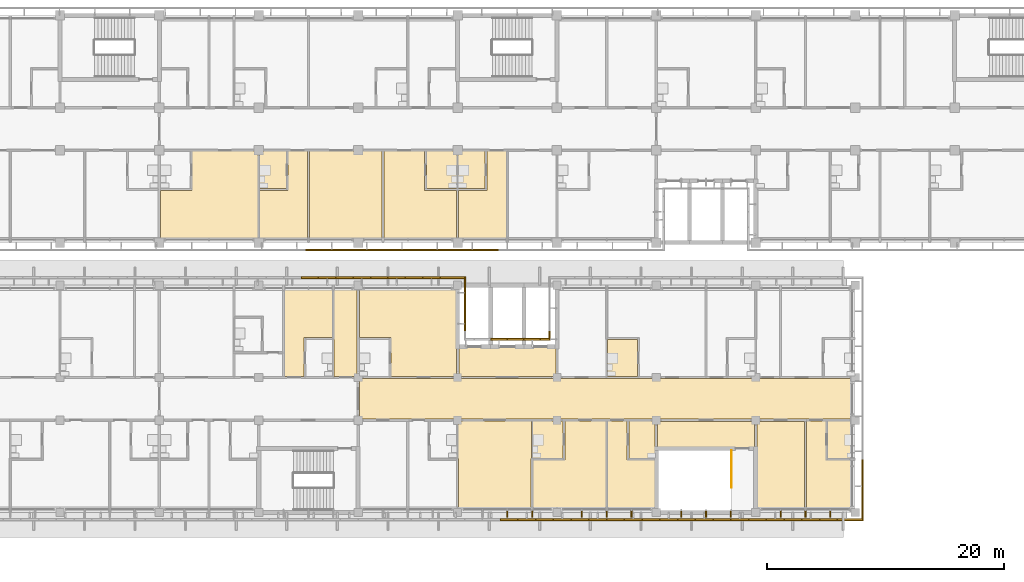
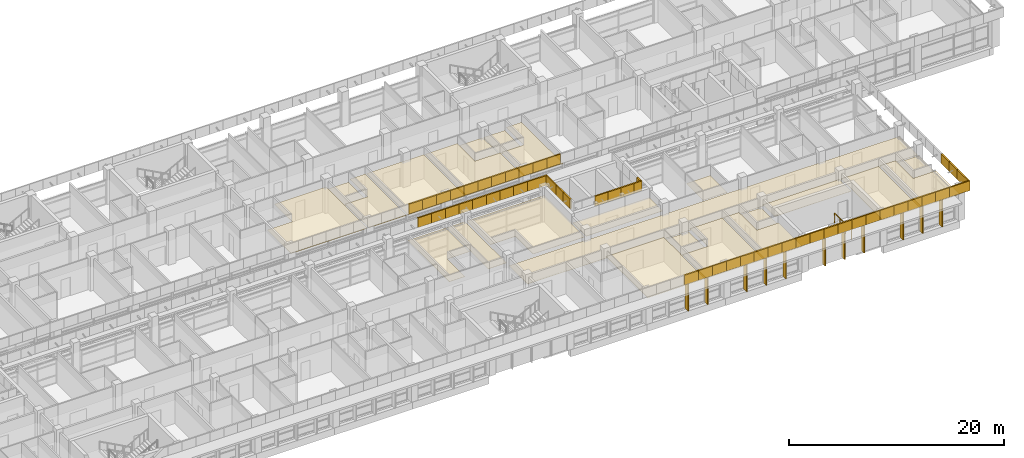
# One storey, part 67 of 71: 74 coverings, 11 shading devices, 1 railing.
"""IFC4 building model written with IfcOpenShell, lengths in metres."""

from ifc_helpers import new_model, si_unit, direction, frame, origin, origin_2d, place, context, subcontext, project, spatial, polyline, rectangle, circle, outline, extrude, material, layer, layer_set, material_profile, profile_set, type_object, element, save


model = new_model("IFC4")

# Units and contexts
model_context = context("Model", 3, precision=1e-05, world=origin(), true_north=direction((0.0, 1.0)))
body_context = subcontext(model_context, "Body", "Model", "MODEL_VIEW")
ifc_project = project(units=[si_unit("LENGTHUNIT", "METRE"), si_unit("AREAUNIT", "SQUARE_METRE"), si_unit("VOLUMEUNIT", "CUBIC_METRE"), si_unit("PLANEANGLEUNIT", "RADIAN"), si_unit("MASSUNIT", "GRAM", prefix="KILO")], contexts=[model_context])

# Site, building, storey
site_placement = place(None, origin())
site = spatial("IfcSite", under=ifc_project, at=site_placement, CompositionType="ELEMENT")
building_placement = place(site_placement, origin())
building = spatial("IfcBuilding", under=site, at=building_placement, Name="Bougainvillea Quay General Hospital", CompositionType="ELEMENT")
storey_placement = place(building_placement, frame((0.0, 0.0, 24.89990234375)))
storey = spatial("IfcBuildingStorey", under=building, at=storey_placement, Name="L05", CompositionType="ELEMENT", Elevation=24.89990234375)

# Coverings
ifc_material_1 = material(Name="Powder-coated aluminium fascia, white", Category="aluminium")
ifc_layer_1 = layer(ifc_material_1, 0.14990234375)
ifc_layer_set_1 = layer_set([ifc_layer_1], Name="Powder-coated aluminium fascia, white")
covering_type_1 = type_object("IfcCoveringType", Name="Aluminium fascia band white 150x1100", PredefinedType="CLADDING", material=ifc_layer_set_1)
covering_1_placement = place(storey_placement, frame((121.552978515625, 139.85009765625, 3.35009765625), z_axis=(0.0, 0.0, 1.0), x_axis=(1.0, 0.0, 0.0)))
element("IfcCovering", 1, at=covering_1_placement, inside=storey, type_object=covering_type_1, Name="Fascia band white e0 172", PredefinedType="CLADDING", context=body_context, shape_type="SweptSolid", body=[
    extrude(outline(polyline([(0.0, 0.0), (1.482421875, 0.0), (1.482421875, -0.150146484375), (0.0, -0.150146484375), (0.0, 0.0)])), origin(), (0.0, 0.0, 1.0), 1.10009765625),
])
covering_2_placement = place(storey_placement, frame((123.035400390625, 139.85009765625, 3.35009765625), z_axis=(0.0, 0.0, 1.0), x_axis=(1.0, 0.0, 0.0)))
element("IfcCovering", 2, at=covering_2_placement, inside=storey, type_object=covering_type_1, Name="Fascia band white e0 173", PredefinedType="CLADDING", context=body_context, shape_type="SweptSolid", body=[
    extrude(outline(polyline([(0.0, 0.0), (1.482177734375, 0.0), (1.482177734375, -0.150146484375), (0.0, -0.150146484375), (0.0, 0.0)])), origin(), (0.0, 0.0, 1.0), 1.10009765625),
])
for number, where, z_axis, x_axis, name in (
    (3, (124.517578125, 139.85009765625, 3.35009765625), (0.0, 0.0, 1.0), (1.0, 0.0, 0.0), "Fascia band white e0 174"),
    (4, (126.0, 139.85009765625, 3.35009765625), (0.0, 0.0, 1.0), (1.0, 0.0, 0.0), "Fascia band white e0 175"),
):
    element("IfcCovering", number, at=place(storey_placement, frame(where, z_axis=z_axis, x_axis=x_axis)), inside=storey, type_object=covering_type_1, Name=name, PredefinedType="CLADDING", context=body_context, shape_type="SweptSolid", body=[
        extrude(outline(polyline([(0.0, 0.0), (1.482421875, 0.0), (1.482421875, -0.150146484375), (0.0, -0.150146484375), (0.0, 0.0)])), origin(), (0.0, 0.0, 1.0), 1.10009765625),
    ])
covering_3_placement = place(storey_placement, frame((127.482421875, 139.85009765625, 3.35009765625), z_axis=(0.0, 0.0, 1.0), x_axis=(1.0, 0.0, 0.0)))
element("IfcCovering", 5, at=covering_3_placement, inside=storey, type_object=covering_type_1, Name="Fascia band white e0 176", PredefinedType="CLADDING", context=body_context, shape_type="SweptSolid", body=[
    extrude(outline(polyline([(0.0, 0.0), (1.482177734375, 0.0), (1.482177734375, -0.150146484375), (0.0, -0.150146484375), (0.0, 0.0)])), origin(), (0.0, 0.0, 1.0), 1.10009765625),
])
for number, where, z_axis, x_axis, name in (
    (6, (128.964599609375, 139.85009765625, 3.35009765625), (0.0, 0.0, 1.0), (1.0, 0.0, 0.0), "Fascia band white e0 177"),
    (7, (130.447021484375, 139.85009765625, 3.35009765625), (0.0, 0.0, 1.0), (1.0, 0.0, 0.0), "Fascia band white e0 178"),
    (8, (131.929443359375, 139.85009765625, 3.35009765625), (0.0, 0.0, 1.0), (1.0, 0.0, 0.0), "Fascia band white e0 179"),
):
    element("IfcCovering", number, at=place(storey_placement, frame(where, z_axis=z_axis, x_axis=x_axis)), inside=storey, type_object=covering_type_1, Name=name, PredefinedType="CLADDING", context=body_context, shape_type="SweptSolid", body=[
        extrude(outline(polyline([(0.0, 0.0), (1.482421875, 0.0), (1.482421875, -0.150146484375), (0.0, -0.150146484375), (0.0, 0.0)])), origin(), (0.0, 0.0, 1.0), 1.10009765625),
    ])
covering_4_placement = place(storey_placement, frame((133.411865234375, 139.85009765625, 3.35009765625), z_axis=(0.0, 0.0, 1.0), x_axis=(1.0, 0.0, 0.0)))
element("IfcCovering", 9, at=covering_4_placement, inside=storey, type_object=covering_type_1, Name="Fascia band white e0 180", PredefinedType="CLADDING", context=body_context, shape_type="SweptSolid", body=[
    extrude(outline(polyline([(0.0, 0.0), (1.482177734375, 0.0), (1.482177734375, -0.150146484375), (0.0, -0.150146484375), (0.0, 0.0)])), origin(), (0.0, 0.0, 1.0), 1.10009765625),
])
for number, where, z_axis, x_axis, name in (
    (10, (134.89404296875, 139.85009765625, 3.35009765625), (0.0, 0.0, 1.0), (1.0, 0.0, 0.0), "Fascia band white e0 181"),
    (11, (136.37646484375, 139.85009765625, 3.35009765625), (0.0, 0.0, 1.0), (1.0, 0.0, 0.0), "Fascia band white e0 182"),
):
    element("IfcCovering", number, at=place(storey_placement, frame(where, z_axis=z_axis, x_axis=x_axis)), inside=storey, type_object=covering_type_1, Name=name, PredefinedType="CLADDING", context=body_context, shape_type="SweptSolid", body=[
        extrude(outline(polyline([(0.0, 0.0), (1.482421875, 0.0), (1.482421875, -0.150146484375), (0.0, -0.150146484375), (0.0, 0.0)])), origin(), (0.0, 0.0, 1.0), 1.10009765625),
    ])
for number, where, z_axis, x_axis, name in (
    (12, (138.0, 117.050048828125, 3.35009765625), (0.0, 0.0, 1.0), (1.0, 0.0, 0.0), "Fascia band white e0 78"),
    (13, (139.5, 117.050048828125, 3.35009765625), (0.0, 0.0, 1.0), (1.0, 0.0, 0.0), "Fascia band white e0 79"),
    (14, (141.0, 117.050048828125, 3.35009765625), (0.0, 0.0, 1.0), (1.0, 0.0, 0.0), "Fascia band white e0 80"),
    (15, (142.5, 117.050048828125, 3.35009765625), (0.0, 0.0, 1.0), (1.0, 0.0, 0.0), "Fascia band white e0 81"),
    (16, (144.0, 117.050048828125, 3.35009765625), (0.0, 0.0, 1.0), (1.0, 0.0, 0.0), "Fascia band white e0 82"),
    (17, (145.5, 117.050048828125, 3.35009765625), (0.0, 0.0, 1.0), (1.0, 0.0, 0.0), "Fascia band white e0 83"),
    (18, (147.0, 117.050048828125, 3.35009765625), (0.0, 0.0, 1.0), (1.0, 0.0, 0.0), "Fascia band white e0 84"),
    (19, (148.5, 117.050048828125, 3.35009765625), (0.0, 0.0, 1.0), (1.0, 0.0, 0.0), "Fascia band white e0 85"),
    (20, (150.0, 117.050048828125, 3.35009765625), (0.0, 0.0, 1.0), (1.0, 0.0, 0.0), "Fascia band white e0 86"),
    (21, (151.5, 117.050048828125, 3.35009765625), (0.0, 0.0, 1.0), (1.0, 0.0, 0.0), "Fascia band white e0 87"),
    (22, (153.0, 117.050048828125, 3.35009765625), (0.0, 0.0, 1.0), (1.0, 0.0, 0.0), "Fascia band white e0 88"),
    (23, (154.5, 117.050048828125, 3.35009765625), (0.0, 0.0, 1.0), (1.0, 0.0, 0.0), "Fascia band white e0 89"),
    (24, (156.0, 117.050048828125, 3.35009765625), (0.0, 0.0, 1.0), (1.0, 0.0, 0.0), "Fascia band white e0 90"),
    (25, (157.5, 117.050048828125, 3.35009765625), (0.0, 0.0, 1.0), (1.0, 0.0, 0.0), "Fascia band white e0 91"),
    (26, (159.0, 117.050048828125, 3.35009765625), (0.0, 0.0, 1.0), (1.0, 0.0, 0.0), "Fascia band white e0 92"),
    (27, (160.5, 117.050048828125, 3.35009765625), (0.0, 0.0, 1.0), (1.0, 0.0, 0.0), "Fascia band white e0 93"),
    (28, (162.0, 117.050048828125, 3.35009765625), (0.0, 0.0, 1.0), (1.0, 0.0, 0.0), "Fascia band white e0 94"),
    (29, (163.5, 117.050048828125, 3.35009765625), (0.0, 0.0, 1.0), (1.0, 0.0, 0.0), "Fascia band white e0 95"),
    (30, (165.0, 117.050048828125, 3.35009765625), (0.0, 0.0, 1.0), (1.0, 0.0, 0.0), "Fascia band white e0 96"),
):
    element("IfcCovering", number, at=place(storey_placement, frame(where, z_axis=z_axis, x_axis=x_axis)), inside=storey, type_object=covering_type_1, Name=name, PredefinedType="CLADDING", context=body_context, shape_type="SweptSolid", body=[
        extrude(outline(polyline([(0.0, 0.0), (1.5, 0.0), (1.5, -0.150146484375), (0.0, -0.150146484375), (0.0, 0.0)])), origin(), (0.0, 0.0, 1.0), 1.10009765625),
    ])
covering_5_placement = place(storey_placement, frame((166.5, 117.050048828125, 3.35009765625), z_axis=(0.0, 0.0, 1.0), x_axis=(1.0, 0.0, 0.0)))
element("IfcCovering", 31, at=covering_5_placement, inside=storey, type_object=covering_type_1, Name="Fascia band white e0 97", PredefinedType="CLADDING", context=body_context, shape_type="SweptSolid", body=[
    extrude(outline(polyline([(0.0, 0.0), (2.050048828125, 0.0), (2.199951171875, -0.150146484375), (0.0, -0.150146484375), (0.0, 0.0)])), origin(), (0.0, 0.0, 1.0), 1.10009765625),
])
covering_6_placement = place(storey_placement, frame((168.550048828125, 117.050048828125, 3.35009765625), z_axis=(0.0, 0.0, 1.0), x_axis=(0.0, 1.0, 0.0)))
element("IfcCovering", 32, at=covering_6_placement, inside=storey, type_object=covering_type_1, Name="Fascia band white e0 98", PredefinedType="CLADDING", context=body_context, shape_type="SweptSolid", body=[
    extrude(outline(polyline([(0.0, 0.0), (2.02685546875, 0.0), (2.02685546875, -0.14990234375), (-0.150146484375, -0.14990234375), (0.0, 0.0)])), origin(), (0.0, 0.0, 1.0), 1.10009765625),
])
covering_7_placement = place(storey_placement, frame((168.550048828125, 119.076904296875, 3.35009765625), z_axis=(0.0, 0.0, 1.0), x_axis=(0.0, 1.0, 0.0)))
element("IfcCovering", 33, at=covering_7_placement, inside=storey, type_object=covering_type_1, Name="Fascia band white e0 99", PredefinedType="CLADDING", context=body_context, shape_type="SweptSolid", body=[
    extrude(outline(polyline([(0.0, 0.0), (1.47705078125, 0.0), (1.47705078125, -0.14990234375), (0.0, -0.14990234375), (0.0, 0.0)])), origin(), (0.0, 0.0, 1.0), 1.10009765625),
])
covering_8_placement = place(storey_placement, frame((168.550048828125, 120.553955078125, 3.35009765625), z_axis=(0.0, 0.0, 1.0), x_axis=(0.0, 1.0, 0.0)))
element("IfcCovering", 34, at=covering_8_placement, inside=storey, type_object=covering_type_1, Name="Fascia band white e0 100", PredefinedType="CLADDING", context=body_context, shape_type="SweptSolid", body=[
    extrude(outline(polyline([(0.0, 0.0), (1.476806640625, 0.0), (1.476806640625, -0.14990234375), (0.0, -0.14990234375), (0.0, 0.0)])), origin(), (0.0, 0.0, 1.0), 1.10009765625),
])
covering_9_placement = place(storey_placement, frame((142.25, 132.89990234375, 3.35009765625), z_axis=(0.0, 0.0, 1.0), x_axis=(0.0, -1.0, 0.0)))
element("IfcCovering", 35, at=covering_9_placement, inside=storey, type_object=covering_type_1, Name="Fascia band white e0 131", PredefinedType="CLADDING", context=body_context, shape_type="SweptSolid", body=[
    extrude(outline(polyline([(0.0, 0.0), (0.75, 0.0), (0.599853515625, -0.14990234375), (0.0, -0.14990234375), (0.0, 0.0)])), origin(), (0.0, 0.0, 1.0), 1.10009765625),
])
covering_10_placement = place(storey_placement, frame((142.25, 132.14990234375, 3.35009765625), z_axis=(0.0, 0.0, 1.0), x_axis=(-1.0, 0.0, 0.0)))
element("IfcCovering", 36, at=covering_10_placement, inside=storey, type_object=covering_type_1, Name="Fascia band white e0 132", PredefinedType="CLADDING", context=body_context, shape_type="SweptSolid", body=[
    extrude(outline(polyline([(0.0, 0.0), (0.85009765625, 0.0), (0.85009765625, -0.150146484375), (0.14990234375, -0.150146484375), (0.0, 0.0)])), origin(), (0.0, 0.0, 1.0), 1.10009765625),
])
for number, where, z_axis, x_axis, name in (
    (37, (141.39990234375, 132.14990234375, 3.35009765625), (0.0, 0.0, 1.0), (-1.0, 0.0, 0.0), "Fascia band white e0 133"),
    (38, (140.0, 132.14990234375, 3.35009765625), (0.0, 0.0, 1.0), (-1.0, 0.0, 0.0), "Fascia band white e0 134"),
):
    element("IfcCovering", number, at=place(storey_placement, frame(where, z_axis=z_axis, x_axis=x_axis)), inside=storey, type_object=covering_type_1, Name=name, PredefinedType="CLADDING", context=body_context, shape_type="SweptSolid", body=[
        extrude(outline(polyline([(0.0, 0.0), (1.39990234375, 0.0), (1.39990234375, -0.150146484375), (0.0, -0.150146484375), (0.0, 0.0)])), origin(), (0.0, 0.0, 1.0), 1.10009765625),
    ])
covering_11_placement = place(storey_placement, frame((138.60009765625, 132.14990234375, 3.35009765625), z_axis=(0.0, 0.0, 1.0), x_axis=(-1.0, 0.0, 0.0)))
element("IfcCovering", 39, at=covering_11_placement, inside=storey, type_object=covering_type_1, Name="Fascia band white e0 135", PredefinedType="CLADDING", context=body_context, shape_type="SweptSolid", body=[
    extrude(outline(polyline([(0.0, 0.0), (1.400146484375, 0.0), (1.400146484375, -0.150146484375), (0.0, -0.150146484375), (0.0, 0.0)])), origin(), (0.0, 0.0, 1.0), 1.10009765625),
])
for number, where, z_axis, x_axis, name in (
    (40, (134.949951171875, 132.89990234375, 3.35009765625), (0.0, 0.0, 1.0), (0.0, 1.0, 0.0), "Fascia band white e0 139"),
    (41, (134.949951171875, 134.199951171875, 3.35009765625), (0.0, 0.0, 1.0), (0.0, 1.0, 0.0), "Fascia band white e0 140"),
):
    element("IfcCovering", number, at=place(storey_placement, frame(where, z_axis=z_axis, x_axis=x_axis)), inside=storey, type_object=covering_type_1, Name=name, PredefinedType="CLADDING", context=body_context, shape_type="SweptSolid", body=[
        extrude(outline(polyline([(0.0, 0.0), (1.300048828125, 0.0), (1.300048828125, -0.150146484375), (0.0, -0.150146484375), (0.0, 0.0)])), origin(), (0.0, 0.0, 1.0), 1.10009765625),
    ])
covering_12_placement = place(storey_placement, frame((134.949951171875, 135.5, 3.35009765625), z_axis=(0.0, 0.0, 1.0), x_axis=(0.0, 1.0, 0.0)))
element("IfcCovering", 42, at=covering_12_placement, inside=storey, type_object=covering_type_1, Name="Fascia band white e0 141", PredefinedType="CLADDING", context=body_context, shape_type="SweptSolid", body=[
    extrude(outline(polyline([(0.0, 0.0), (1.85009765625, 0.0), (2.0, -0.150146484375), (0.0, -0.150146484375), (0.0, 0.0)])), origin(), (0.0, 0.0, 1.0), 1.10009765625),
])
covering_13_placement = place(storey_placement, frame((134.949951171875, 137.35009765625, 3.35009765625), z_axis=(0.0, 0.0, 1.0), x_axis=(-1.0, 0.0, 0.0)))
element("IfcCovering", 43, at=covering_13_placement, inside=storey, type_object=covering_type_1, Name="Fascia band white e0 142", PredefinedType="CLADDING", context=body_context, shape_type="SweptSolid", body=[
    extrude(outline(polyline([(0.0, 0.0), (2.02001953125, 0.0), (2.02001953125, -0.14990234375), (-0.150146484375, -0.14990234375), (0.0, 0.0)])), origin(), (0.0, 0.0, 1.0), 1.10009765625),
])
for number, where, z_axis, x_axis, name in (
    (44, (132.929931640625, 137.35009765625, 3.35009765625), (0.0, 0.0, 1.0), (-1.0, 0.0, 0.0), "Fascia band white e0 143"),
    (45, (131.4599609375, 137.35009765625, 3.35009765625), (0.0, 0.0, 1.0), (-1.0, 0.0, 0.0), "Fascia band white e0 144"),
    (46, (129.989990234375, 137.35009765625, 3.35009765625), (0.0, 0.0, 1.0), (-1.0, 0.0, 0.0), "Fascia band white e0 145"),
    (47, (128.52001953125, 137.35009765625, 3.35009765625), (0.0, 0.0, 1.0), (-1.0, 0.0, 0.0), "Fascia band white e0 146"),
    (48, (127.050048828125, 137.35009765625, 3.35009765625), (0.0, 0.0, 1.0), (-1.0, 0.0, 0.0), "Fascia band white e0 147"),
    (49, (125.580078125, 137.35009765625, 3.35009765625), (0.0, 0.0, 1.0), (-1.0, 0.0, 0.0), "Fascia band white e0 148"),
):
    element("IfcCovering", number, at=place(storey_placement, frame(where, z_axis=z_axis, x_axis=x_axis)), inside=storey, type_object=covering_type_1, Name=name, PredefinedType="CLADDING", context=body_context, shape_type="SweptSolid", body=[
        extrude(outline(polyline([(0.0, 0.0), (1.469970703125, 0.0), (1.469970703125, -0.14990234375), (0.0, -0.14990234375), (0.0, 0.0)])), origin(), (0.0, 0.0, 1.0), 1.10009765625),
    ])
covering_14_placement = place(storey_placement, frame((124.110107421875, 137.35009765625, 3.35009765625), z_axis=(0.0, 0.0, 1.0), x_axis=(-1.0, 0.0, 0.0)))
element("IfcCovering", 50, at=covering_14_placement, inside=storey, type_object=covering_type_1, Name="Fascia band white e0 149", PredefinedType="CLADDING", context=body_context, shape_type="SweptSolid", body=[
    extrude(outline(polyline([(0.0, 0.0), (1.47021484375, 0.0), (1.47021484375, -0.14990234375), (0.0, -0.14990234375), (0.0, 0.0)])), origin(), (0.0, 0.0, 1.0), 1.10009765625),
])
covering_15_placement = place(storey_placement, frame((122.639892578125, 137.35009765625, 3.35009765625), z_axis=(0.0, 0.0, 1.0), x_axis=(-1.0, 0.0, 0.0)))
element("IfcCovering", 51, at=covering_15_placement, inside=storey, type_object=covering_type_1, Name="Fascia band white e0 150", PredefinedType="CLADDING", context=body_context, shape_type="SweptSolid", body=[
    extrude(outline(polyline([(0.0, 0.0), (1.469970703125, 0.0), (1.469970703125, -0.14990234375), (0.0, -0.14990234375), (0.0, 0.0)])), origin(), (0.0, 0.0, 1.0), 1.10009765625),
])

# Railing
ifc_material_2 = material(Name="Stainless steel 304 balustrade", Category="steel")
railing_type = type_object("IfcRailingType", Name="Stair guard 1100", PredefinedType="GUARDRAIL", material=ifc_material_2)
railing_placement = place(storey_placement, frame((157.550048828125, 122.824951171875, 0.0)))
element("IfcRailing", 52, at=railing_placement, inside=storey, type_object=railing_type, Name="L05 ST-B4 top well guard 1", PredefinedType="GUARDRAIL", context=body_context, shape_type="SweptSolid", body=[
    extrude(circle(Radius=0.02392578125, at=origin_2d()), frame((0.0, 0.0, 1.076171875), z_axis=(0.0, -1.0, 0.0), x_axis=(1.0, 0.0, 0.0)), (0.0, 0.0, 1.0), 3.125),
    extrude(circle(Radius=0.02099609375, at=origin_2d()), origin(), (0.0, 0.0, 1.0), 1.052001953125),
    extrude(circle(Radius=0.02099609375, at=origin_2d()), frame((0.0, -1.041748046875, 0.0)), (0.0, 0.0, 1.0), 1.052001953125),
    extrude(circle(Radius=0.02099609375, at=origin_2d()), frame((0.0, -2.083251953125, 0.0)), (0.0, 0.0, 1.0), 1.052001953125),
    extrude(circle(Radius=0.02099609375, at=origin_2d()), frame((0.0, -3.125, 0.0)), (0.0, 0.0, 1.0), 1.052001953125),
])

# Coverings
ifc_material_3 = material(Name="Mineral fibre ceiling tile")
ifc_layer_2 = layer(ifc_material_3, 0.030029296875)
ifc_layer_set_2 = layer_set([ifc_layer_2], Name="Mineral fibre ceiling tile")
covering_type_2 = type_object("IfcCoveringType", Name="Suspended ceiling mineral fibre tile", PredefinedType="CEILING", material=ifc_layer_set_2)
covering_16_placement = place(storey_placement, frame((0.0, 0.0, 2.7001953125)))
element("IfcCovering", 53, at=covering_16_placement, inside=storey, type_object=covering_type_2, Name="Ceiling Lift Lobby LB-B2 (Fire-fighting)", PredefinedType="CEILING", context=body_context, shape_type="SweptSolid", body=[
    extrude(outline(polyline([(134.5, 131.60009765625), (134.5, 129.10009765625), (142.699951171875, 129.10009765625), (142.699951171875, 131.60009765625), (134.5, 131.60009765625)])), origin(), (0.0, 0.0, 1.0), 0.02978515625),
])
covering_17_placement = place(storey_placement, frame((0.0, 0.0, 2.7001953125)))
element("IfcCovering", 54, at=covering_17_placement, inside=storey, type_object=covering_type_2, Name="Ceiling Refuge Room RR-B4-L05", PredefinedType="CEILING", context=body_context, shape_type="SweptSolid", body=[
    extrude(outline(polyline([(163.699951171875, 117.60009765625), (163.699951171875, 125.300048828125), (159.699951171875, 125.300048828125), (159.699951171875, 117.60009765625), (163.699951171875, 117.60009765625)])), origin(), (0.0, 0.0, 1.0), 0.02978515625),
])
covering_18_placement = place(storey_placement, frame((0.0, 0.0, 2.7001953125)))
element("IfcCovering", 55, at=covering_18_placement, inside=storey, type_object=covering_type_2, Name="Ceiling Smoke-proof Vestibule ST-B4", PredefinedType="CEILING", context=body_context, shape_type="SweptSolid", body=[
    extrude(outline(polyline([(159.5, 123.10009765625), (159.5, 125.300048828125), (151.300048828125, 125.300048828125), (151.300048828125, 123.10009765625), (159.5, 123.10009765625)])), origin(), (0.0, 0.0, 1.0), 0.02978515625),
])
covering_19_placement = place(storey_placement, frame((0.0, 0.0, 2.7001953125)))
element("IfcCovering", 56, at=covering_19_placement, inside=storey, type_object=covering_type_2, Name="Ceiling Four-bed Ward Room 05A17", PredefinedType="CEILING", context=body_context, shape_type="SweptSolid", body=[
    extrude(outline(polyline([(117.52490234375, 140.39990234375), (117.52490234375, 148.125), (111.97509765625, 148.125), (111.97509765625, 144.824951171875), (109.300048828125, 144.824951171875), (109.300048828125, 140.39990234375), (117.52490234375, 140.39990234375)])), origin(), (0.0, 0.0, 1.0), 0.02978515625),
])
covering_20_placement = place(storey_placement, frame((0.0, 0.0, 2.7001953125)))
element("IfcCovering", 57, at=covering_20_placement, inside=storey, type_object=covering_type_2, Name="Ceiling Patient Room 05A18", PredefinedType="CEILING", context=body_context, shape_type="SweptSolid", body=[
    extrude(outline(polyline([(121.72509765625, 140.39990234375), (121.72509765625, 148.125), (120.074951171875, 148.125), (120.074951171875, 144.824951171875), (117.675048828125, 144.824951171875), (117.675048828125, 140.39990234375), (121.72509765625, 140.39990234375)])), origin(), (0.0, 0.0, 1.0), 0.02978515625),
])
covering_21_placement = place(storey_placement, frame((0.0, 0.0, 2.400146484375)))
element("IfcCovering", 58, at=covering_21_placement, inside=storey, type_object=covering_type_2, Name="Ceiling En-suite 05A18", PredefinedType="CEILING", context=body_context, shape_type="SweptSolid", body=[
    extrude(outline(polyline([(119.925048828125, 148.125), (117.675048828125, 148.125), (117.675048828125, 144.97509765625), (119.925048828125, 144.97509765625), (119.925048828125, 148.125)])), origin(), (0.0, 0.0, 1.0), 0.030029296875),
])
covering_22_placement = place(storey_placement, frame((0.0, 0.0, 2.7001953125)))
element("IfcCovering", 59, at=covering_22_placement, inside=storey, type_object=covering_type_2, Name="Ceiling Nurses' Station 05A19", PredefinedType="CEILING", context=body_context, shape_type="SweptSolid", body=[
    extrude(outline(polyline([(128.02490234375, 140.39990234375), (128.02490234375, 148.125), (121.875, 148.125), (121.875, 140.39990234375), (128.02490234375, 140.39990234375)])), origin(), (0.0, 0.0, 1.0), 0.02978515625),
])
covering_23_placement = place(storey_placement, frame((0.0, 0.0, 2.7001953125)))
element("IfcCovering", 60, at=covering_23_placement, inside=storey, type_object=covering_type_2, Name="Ceiling Two-bed Patient Room 05A20", PredefinedType="CEILING", context=body_context, shape_type="SweptSolid", body=[
    extrude(outline(polyline([(134.324951171875, 140.39990234375), (134.324951171875, 144.824951171875), (131.625, 144.824951171875), (131.625, 148.125), (128.175048828125, 148.125), (128.175048828125, 140.39990234375), (134.324951171875, 140.39990234375)])), origin(), (0.0, 0.0, 1.0), 0.02978515625),
])
covering_24_placement = place(storey_placement, frame((0.0, 0.0, 2.400146484375)))
element("IfcCovering", 61, at=covering_24_placement, inside=storey, type_object=covering_type_2, Name="Ceiling En-suite 05A20", PredefinedType="CEILING", context=body_context, shape_type="SweptSolid", body=[
    extrude(outline(polyline([(131.77490234375, 144.97509765625), (134.35009765625, 144.97509765625), (134.35009765625, 148.125), (131.77490234375, 148.125), (131.77490234375, 144.97509765625)])), origin(), (0.0, 0.0, 1.0), 0.030029296875),
])
covering_25_placement = place(storey_placement, frame((0.0, 0.0, 2.7001953125)))
element("IfcCovering", 62, at=covering_25_placement, inside=storey, type_object=covering_type_2, Name="Ceiling Patient Room 05A21", PredefinedType="CEILING", context=body_context, shape_type="SweptSolid", body=[
    extrude(outline(polyline([(138.52490234375, 140.39990234375), (138.52490234375, 148.125), (136.875, 148.125), (136.875, 144.824951171875), (134.47509765625, 144.824951171875), (134.47509765625, 140.39990234375), (138.52490234375, 140.39990234375)])), origin(), (0.0, 0.0, 1.0), 0.02978515625),
])
covering_26_placement = place(storey_placement, frame((0.0, 0.0, 2.400146484375)))
element("IfcCovering", 63, at=covering_26_placement, inside=storey, type_object=covering_type_2, Name="Ceiling En-suite 05A21", PredefinedType="CEILING", context=body_context, shape_type="SweptSolid", body=[
    extrude(outline(polyline([(134.449951171875, 144.97509765625), (136.72509765625, 144.97509765625), (136.72509765625, 148.125), (134.449951171875, 148.125), (134.449951171875, 144.97509765625)])), origin(), (0.0, 0.0, 1.0), 0.030029296875),
])
covering_27_placement = place(storey_placement, frame((0.0, 0.0, 2.7001953125)))
element("IfcCovering", 64, at=covering_27_placement, inside=storey, type_object=covering_type_2, Name="Ceiling Oncology Patient Room 05B26", PredefinedType="CEILING", context=body_context, shape_type="SweptSolid", body=[
    extrude(outline(polyline([(119.77490234375, 136.800048828125), (119.77490234375, 129.074951171875), (121.425048828125, 129.074951171875), (121.425048828125, 132.375), (123.824951171875, 132.375), (123.824951171875, 136.800048828125), (119.77490234375, 136.800048828125)])), origin(), (0.0, 0.0, 1.0), 0.02978515625),
])
covering_28_placement = place(storey_placement, frame((0.0, 0.0, 2.7001953125)))
element("IfcCovering", 65, at=covering_28_placement, inside=storey, type_object=covering_type_2, Name="Ceiling Dirty Utility and Sluice Room 05B27", PredefinedType="CEILING", context=body_context, shape_type="SweptSolid", body=[
    extrude(outline(polyline([(123.97509765625, 136.800048828125), (123.97509765625, 132.22509765625), (123.949951171875, 132.22509765625), (123.949951171875, 129.074951171875), (125.89990234375, 129.074951171875), (125.89990234375, 136.800048828125), (123.97509765625, 136.800048828125)])), origin(), (0.0, 0.0, 1.0), 0.02978515625),
])
covering_29_placement = place(storey_placement, frame((0.0, 0.0, 2.7001953125)))
element("IfcCovering", 66, at=covering_29_placement, inside=storey, type_object=covering_type_2, Name="Ceiling Four-bed Ward Room 05B28", PredefinedType="CEILING", context=body_context, shape_type="SweptSolid", body=[
    extrude(outline(polyline([(126.10009765625, 136.800048828125), (126.10009765625, 132.375), (128.77490234375, 132.375), (128.77490234375, 129.074951171875), (134.300048828125, 129.074951171875), (134.300048828125, 131.60009765625), (134.39990234375, 131.60009765625), (134.39990234375, 136.800048828125), (126.10009765625, 136.800048828125)])), origin(), (0.0, 0.0, 1.0), 0.02978515625),
])
covering_30_placement = place(storey_placement, frame((0.0, 0.0, 2.7001953125)))
element("IfcCovering", 67, at=covering_30_placement, inside=storey, type_object=covering_type_2, Name="Ceiling Nurses' Station 05B30", PredefinedType="CEILING", context=body_context, shape_type="SweptSolid", body=[
    extrude(outline(polyline([(140.625, 117.60009765625), (140.625, 122.175048828125), (140.64990234375, 122.175048828125), (140.64990234375, 125.324951171875), (134.449951171875, 125.324951171875), (134.449951171875, 122.175048828125), (134.47509765625, 122.175048828125), (134.47509765625, 117.60009765625), (140.625, 117.60009765625)])), origin(), (0.0, 0.0, 1.0), 0.02978515625),
])
covering_31_placement = place(storey_placement, frame((0.0, 0.0, 2.7001953125)))
element("IfcCovering", 68, at=covering_31_placement, inside=storey, type_object=covering_type_2, Name="Ceiling Two-bed Patient Room 05B31", PredefinedType="CEILING", context=body_context, shape_type="SweptSolid", body=[
    extrude(outline(polyline([(146.925048828125, 117.60009765625), (146.925048828125, 125.324951171875), (143.47509765625, 125.324951171875), (143.47509765625, 122.02490234375), (140.77490234375, 122.02490234375), (140.77490234375, 117.60009765625), (146.925048828125, 117.60009765625)])), origin(), (0.0, 0.0, 1.0), 0.02978515625),
])
covering_32_placement = place(storey_placement, frame((0.0, 0.0, 2.400146484375)))
element("IfcCovering", 69, at=covering_32_placement, inside=storey, type_object=covering_type_2, Name="Ceiling En-suite 05B31", PredefinedType="CEILING", context=body_context, shape_type="SweptSolid", body=[
    extrude(outline(polyline([(140.75, 125.324951171875), (140.75, 122.175048828125), (143.324951171875, 122.175048828125), (143.324951171875, 125.324951171875), (140.75, 125.324951171875)])), origin(), (0.0, 0.0, 1.0), 0.030029296875),
])
covering_33_placement = place(storey_placement, frame((0.0, 0.0, 2.7001953125)))
element("IfcCovering", 70, at=covering_33_placement, inside=storey, type_object=covering_type_2, Name="Ceiling Patient Room 05B32", PredefinedType="CEILING", context=body_context, shape_type="SweptSolid", body=[
    extrude(outline(polyline([(151.125, 117.60009765625), (151.125, 122.02490234375), (148.72509765625, 122.02490234375), (148.72509765625, 125.324951171875), (147.074951171875, 125.324951171875), (147.074951171875, 117.60009765625), (151.125, 117.60009765625)])), origin(), (0.0, 0.0, 1.0), 0.02978515625),
])
covering_34_placement = place(storey_placement, frame((0.0, 0.0, 2.400146484375)))
element("IfcCovering", 71, at=covering_34_placement, inside=storey, type_object=covering_type_2, Name="Ceiling En-suite 05B32", PredefinedType="CEILING", context=body_context, shape_type="SweptSolid", body=[
    extrude(outline(polyline([(151.10009765625, 125.324951171875), (148.875, 125.324951171875), (148.875, 122.175048828125), (151.14990234375, 122.175048828125), (151.14990234375, 122.89990234375), (151.10009765625, 122.89990234375), (151.10009765625, 125.324951171875)])), origin(), (0.0, 0.0, 1.0), 0.030029296875),
])
covering_35_placement = place(storey_placement, frame((0.0, 0.0, 2.400146484375)))
element("IfcCovering", 72, at=covering_35_placement, inside=storey, type_object=covering_type_2, Name="Ceiling En-suite 05B34", PredefinedType="CEILING", context=body_context, shape_type="SweptSolid", body=[
    extrude(outline(polyline([(149.625, 132.22509765625), (147.050048828125, 132.22509765625), (147.050048828125, 129.074951171875), (149.625, 129.074951171875), (149.625, 132.22509765625)])), origin(), (0.0, 0.0, 1.0), 0.030029296875),
])
covering_36_placement = place(storey_placement, frame((0.0, 0.0, 2.7001953125)))
element("IfcCovering", 73, at=covering_36_placement, inside=storey, type_object=covering_type_2, Name="Ceiling Patient Room 05B38", PredefinedType="CEILING", context=body_context, shape_type="SweptSolid", body=[
    extrude(outline(polyline([(168.0, 117.60009765625), (168.0, 122.02490234375), (165.52490234375, 122.02490234375), (165.52490234375, 125.324951171875), (163.89990234375, 125.324951171875), (163.89990234375, 117.60009765625), (168.0, 117.60009765625)])), origin(), (0.0, 0.0, 1.0), 0.02978515625),
])
covering_37_placement = place(storey_placement, frame((0.0, 0.0, 2.400146484375)))
element("IfcCovering", 74, at=covering_37_placement, inside=storey, type_object=covering_type_2, Name="Ceiling En-suite 05B38", PredefinedType="CEILING", context=body_context, shape_type="SweptSolid", body=[
    extrude(outline(polyline([(168.0, 125.324951171875), (165.675048828125, 125.324951171875), (165.675048828125, 122.175048828125), (168.0, 122.175048828125), (168.0, 125.324951171875)])), origin(), (0.0, 0.0, 1.0), 0.030029296875),
])
covering_38_placement = place(storey_placement, frame((0.0, 0.0, 2.400146484375)))
element("IfcCovering", 75, at=covering_38_placement, inside=storey, type_object=covering_type_2, Name="Ceiling Ward Corridor B4", PredefinedType="CEILING", context=body_context, shape_type="SweptSolid", body=[
    extrude(outline(polyline([(168.0, 128.925048828125), (142.89990234375, 128.925048828125), (142.89990234375, 128.89990234375), (134.300048828125, 128.89990234375), (134.300048828125, 128.925048828125), (126.10009765625, 128.925048828125), (126.10009765625, 125.5), (130.300048828125, 125.5), (130.300048828125, 125.47509765625), (151.10009765625, 125.47509765625), (151.10009765625, 125.5), (163.89990234375, 125.5), (163.89990234375, 125.47509765625), (168.0, 125.47509765625), (168.0, 128.925048828125)])), origin(), (0.0, 0.0, 1.0), 0.030029296875),
])

# Shading devices
ifc_material_4 = material(Name="Powder-coated aluminium fin, white", Category="aluminium")
ifc_material_profile = material_profile(ifc_material_4, rectangle(XDim=0.550048828125, YDim=0.10009765625, at=origin_2d()))
ifc_profile_set = profile_set([ifc_material_profile], Name="Powder-coated aluminium fin, white")
shading_device_type = type_object("IfcShadingDeviceType", Name="Vertical fin 550x100", PredefinedType="USERDEFINED", material=ifc_profile_set)
for number, where, z_axis, x_axis, name in (
    (76, (165.89990234375, 117.455078125, 0.0), (0.0, 0.0, 1.0), (0.0, -1.0, 0.0), "Vertical fin V5B L05 01.1"),
    (77, (163.800048828125, 117.455078125, 0.0), (0.0, 0.0, 1.0), (0.0, -1.0, 0.0), "Vertical fin V5B L05 01.2"),
    (78, (161.699951171875, 117.455078125, 0.0), (0.0, 0.0, 1.0), (0.0, -1.0, 0.0), "Vertical fin V5B L05 01.3"),
    (79, (157.5, 117.455078125, 0.0), (0.0, 0.0, 1.0), (0.0, -1.0, 0.0), "Vertical fin V5B L05 01.4"),
    (80, (155.39990234375, 117.455078125, 0.0), (0.0, 0.0, 1.0), (0.0, -1.0, 0.0), "Vertical fin V5B L05 01.5"),
    (81, (153.300048828125, 117.455078125, 0.0), (0.0, 0.0, 1.0), (0.0, -1.0, 0.0), "Vertical fin V5B L05 01.6"),
    (82, (149.10009765625, 117.455078125, 0.0), (0.0, 0.0, 1.0), (0.0, -1.0, 0.0), "Vertical fin V5B L05 01.7"),
    (83, (147.0, 117.455078125, 0.0), (0.0, 0.0, 1.0), (0.0, -1.0, 0.0), "Vertical fin V5B L05 01.8"),
    (84, (144.89990234375, 117.455078125, 0.0), (0.0, 0.0, 1.0), (0.0, -1.0, 0.0), "Vertical fin V5B L05 01.9"),
    (85, (140.699951171875, 117.455078125, 0.0), (0.0, 0.0, 1.0), (0.0, -1.0, 0.0), "Vertical fin V5B L05 01.10"),
    (86, (138.60009765625, 117.455078125, 0.0), (0.0, 0.0, 1.0), (0.0, -1.0, 0.0), "Vertical fin V5B L05 01.11"),
):
    element("IfcShadingDevice", number, at=place(storey_placement, frame(where, z_axis=z_axis, x_axis=x_axis)), inside=storey, type_object=shading_device_type, Name=name, ObjectType="Vertical fin", PredefinedType="USERDEFINED", context=body_context, shape_type="SweptSolid", body=[
        extrude(rectangle(XDim=0.550048828125, YDim=0.10009765625, at=origin_2d()), origin(), (0.0, 0.0, 1.0), 3.330078125),
    ])

save(model, "model.ifc")
